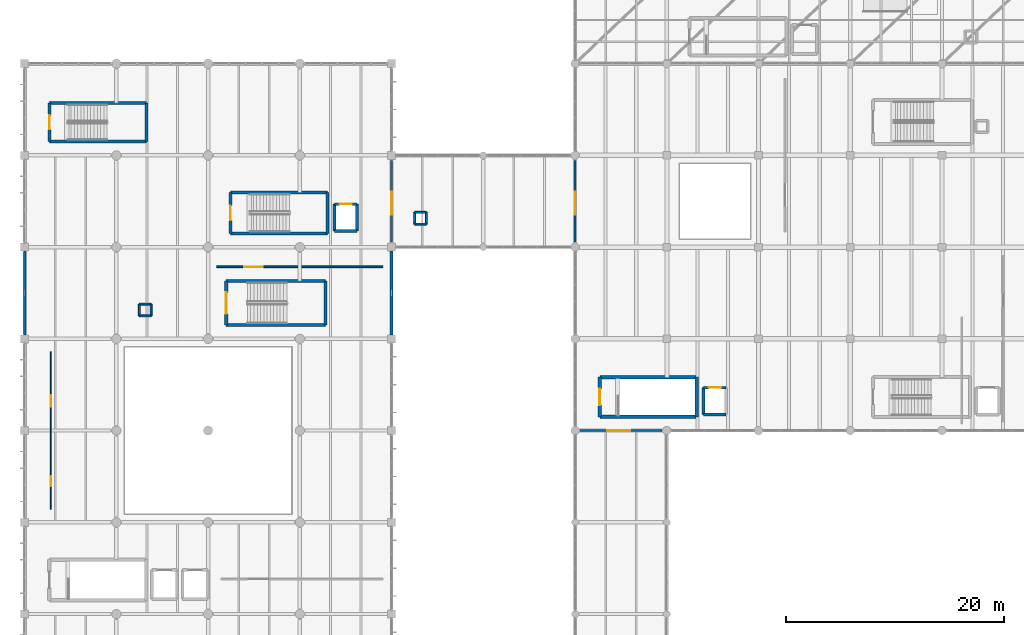
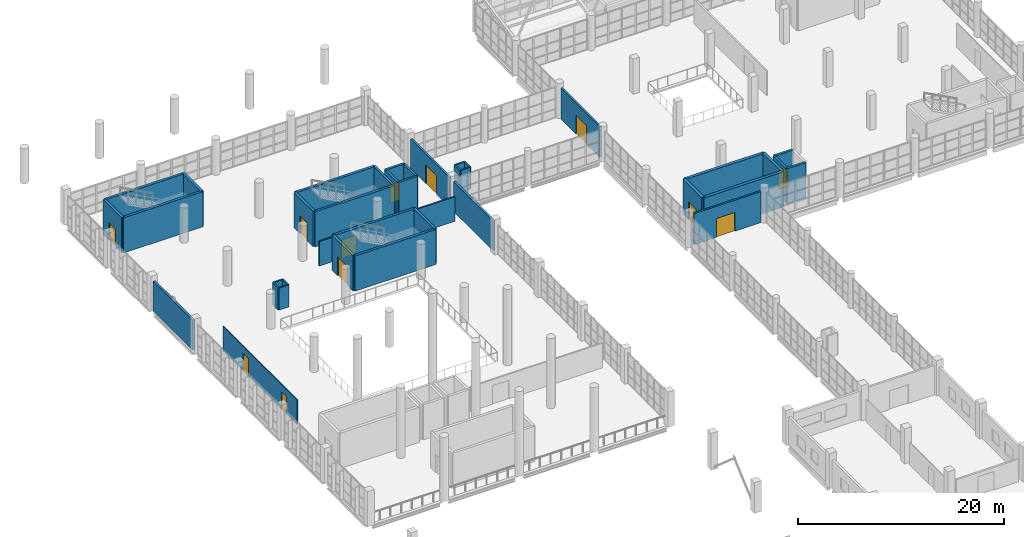
# One storey, part 152 of 177: 38 walls, 12 doors, 12 openings.
"""IFC4 building model written with IfcOpenShell, lengths in metres."""

from ifc_helpers import new_model, si_unit, direction, frame, frame_2d, origin, place, context, subcontext, project, spatial, rectangle, extrude, material, layer, layer_set, type_object, element, fill, save


model = new_model("IFC4")

# Units and contexts
model_context = context("Model", 3, precision=1e-05, world=origin(), true_north=direction((0.0, 1.0)))
body_context = subcontext(model_context, "Body", "Model", "MODEL_VIEW")
ifc_project = project(units=[si_unit("LENGTHUNIT", "METRE"), si_unit("AREAUNIT", "SQUARE_METRE"), si_unit("VOLUMEUNIT", "CUBIC_METRE"), si_unit("PLANEANGLEUNIT", "RADIAN"), si_unit("MASSUNIT", "GRAM", prefix="KILO"), si_unit("THERMODYNAMICTEMPERATUREUNIT", "KELVIN"), si_unit("POWERUNIT", "WATT")], contexts=[model_context])

# Site, building, storey
site_placement = place(None, origin())
site = spatial("IfcSite", under=ifc_project, at=site_placement, CompositionType="ELEMENT")
building_placement = place(site_placement, origin())
building = spatial("IfcBuilding", under=site, at=building_placement, Name="Mavoryth Pier Ferry Terminal", CompositionType="ELEMENT")
storey_placement = place(building_placement, frame((0.0, 0.0, 5.43994140625)))
storey = spatial("IfcBuildingStorey", under=building, at=storey_placement, Name="L01", CompositionType="ELEMENT", Elevation=5.43994140625)

# Walls
ifc_material_1 = material(Name="Concrete C35/45", Category="concrete")
ifc_layer_1 = layer(ifc_material_1, 0.260009765625, Name="Concrete C35/45", Category="concrete")
ifc_layer_set_1 = layer_set([ifc_layer_1], Name="Concrete C35/45 - CoreWall-LiftShaft-RC260")
wall_type_1 = type_object("IfcWallType", Name="CoreWall-LiftShaft-RC260", PredefinedType="SHEAR", material=ifc_layer_set_1)
wall_1_placement = place(storey_placement, frame((28.3701171875, 90.669921875, 0.0), z_axis=(0.0, 0.0, 1.0), x_axis=(1.0, 0.0, 0.0)))
element("IfcWall", 1, at=wall_1_placement, inside=storey, type_object=wall_type_1, Name="Interior Wall IW-L01-0041", PredefinedType="SHEAR", context=body_context, shape_type="SweptSolid", body=[
    extrude(rectangle(XDim=2.059814453125, YDim=0.260009765625, at=frame_2d((1.02978515625, 0.0))), origin(), (0.0, 0.0, 1.0), 4.16015625),
])
for number, where, z_axis, x_axis, name in (
    (2, (30.429931640625, 90.669921875, 0.0), (0.0, 0.0, 1.0), (0.0, 1.0, 0.0), "Interior Wall IW-L01-0042"),
    (3, (28.3701171875, 93.1298828125, 0.0), (0.0, 0.0, 1.0), (0.0, -1.0, 0.0), "Interior Wall IW-L01-0043"),
):
    element("IfcWall", number, at=place(storey_placement, frame(where, z_axis=z_axis, x_axis=x_axis)), inside=storey, type_object=wall_type_1, Name=name, PredefinedType="SHEAR", context=body_context, shape_type="SweptSolid", body=[
        extrude(rectangle(XDim=2.4599609375, YDim=0.260009765625, at=frame_2d((1.22998046875, 0.0))), origin(), (0.0, 0.0, 1.0), 4.16015625),
    ])

# Wall, opening, door
wall_2_placement = place(storey_placement, frame((28.3701171875, 93.1298828125, 0.0), z_axis=(0.0, 0.0, 1.0), x_axis=(1.0, 0.0, 0.0)))
wall_2 = element("IfcWall", 4, at=wall_2_placement, inside=storey, type_object=wall_type_1, Name="Interior Wall IW-L01-0044", PredefinedType="SHEAR", context=body_context, shape_type="SweptSolid", body=[
    extrude(rectangle(XDim=2.059814453125, YDim=0.260009765625, at=frame_2d((1.02978515625, 0.0))), origin(), (0.0, 0.0, 1.0), 4.16015625),
])
opening_1_placement = place(wall_2_placement, frame((0.4599609375, 0.0, 0.0)))
opening_1 = element("IfcOpeningElement", 5, at=opening_1_placement, cuts=wall_2, Name="Opening LD02", PredefinedType="OPENING", context=body_context, shape_type="SweptSolid", body=[
    extrude(rectangle(XDim=1.139892578125, YDim=2.139892578125, at=frame_2d((0.56982421875, 1.06982421875))), frame((0.0, 0.139892578125, 0.0), z_axis=(0.0, -1.0, 0.0), x_axis=(1.0, 0.0, 0.0)), (0.0, 0.0, 1.0), 0.280029296875),
])
ifc_material_2 = material(Name="Brushed Stainless Steel Lift Landing Door", Category="steel")
door_type_1 = type_object("IfcDoorType", Name="Door-LiftLanding-1140x2140", OperationType="NOTDEFINED", PredefinedType="DOOR", material=ifc_material_2)
door_1_placement = place(opening_1_placement, origin())
door_1 = element("IfcDoor", 6, at=door_1_placement, inside=storey, type_object=door_type_1, Name="Lift LF03 Landing Door L01", OperationType="DOUBLE_DOOR_SLIDING", OverallHeight=2.139892578125, OverallWidth=1.139892578125, PredefinedType="DOOR", context=body_context, shape_type="SweptSolid", body=[
    extrude(rectangle(XDim=1.139892578125, YDim=2.139892578125, at=frame_2d((0.56982421875, 1.06982421875))), frame((0.0, 0.02490234375, 0.0), z_axis=(0.0, -1.0, 0.0), x_axis=(1.0, 0.0, 0.0)), (0.0, 0.0, 1.0), 0.050048828125),
])
fill(opening_1, door_1)

# Walls
wall_3_placement = place(storey_placement, frame((62.169921875, 73.8701171875, 0.0), z_axis=(0.0, 0.0, 1.0), x_axis=(1.0, 0.0, 0.0)))
element("IfcWall", 7, at=wall_3_placement, inside=storey, type_object=wall_type_1, Name="Interior Wall IW-L01-0073", PredefinedType="SHEAR", context=body_context, shape_type="SweptSolid", body=[
    extrude(rectangle(XDim=2.06005859375, YDim=0.260009765625, at=frame_2d((1.030029296875, 0.0))), origin(), (0.0, 0.0, 1.0), 4.16015625),
])
wall_4_placement = place(storey_placement, frame((62.169921875, 76.330078125, 0.0), z_axis=(0.0, 0.0, 1.0), x_axis=(0.0, -1.0, 0.0)))
element("IfcWall", 8, at=wall_4_placement, inside=storey, type_object=wall_type_1, Name="Interior Wall IW-L01-0075", PredefinedType="SHEAR", context=body_context, shape_type="SweptSolid", body=[
    extrude(rectangle(XDim=2.4599609375, YDim=0.260009765625, at=frame_2d((1.22998046875, 0.0))), origin(), (0.0, 0.0, 1.0), 4.16015625),
])

# Wall, opening, door
wall_5_placement = place(storey_placement, frame((62.169921875, 76.330078125, 0.0), z_axis=(0.0, 0.0, 1.0), x_axis=(1.0, 0.0, 0.0)))
wall_5 = element("IfcWall", 9, at=wall_5_placement, inside=storey, type_object=wall_type_1, Name="Interior Wall IW-L01-0076", PredefinedType="SHEAR", context=body_context, shape_type="SweptSolid", body=[
    extrude(rectangle(XDim=2.06005859375, YDim=0.260009765625, at=frame_2d((1.030029296875, 0.0))), origin(), (0.0, 0.0, 1.0), 4.16015625),
])
opening_2_placement = place(wall_5_placement, frame((0.4599609375, 0.0, 0.0)))
opening_2 = element("IfcOpeningElement", 10, at=opening_2_placement, cuts=wall_5, Name="Opening LD02", PredefinedType="OPENING", context=body_context, shape_type="SweptSolid", body=[
    extrude(rectangle(XDim=1.139892578125, YDim=2.139892578125, at=frame_2d((0.56982421875, 1.06982421875))), frame((0.0, 0.139892578125, 0.0), z_axis=(0.0, -1.0, 0.0), x_axis=(1.0, 0.0, 0.0)), (0.0, 0.0, 1.0), 0.280029296875),
])
door_2_placement = place(opening_2_placement, origin())
door_2 = element("IfcDoor", 11, at=door_2_placement, inside=storey, type_object=door_type_1, Name="Lift LF04 Landing Door L01", OperationType="DOUBLE_DOOR_SLIDING", OverallHeight=2.139892578125, OverallWidth=1.139892578125, PredefinedType="DOOR", context=body_context, shape_type="SweptSolid", body=[
    extrude(rectangle(XDim=1.139892578125, YDim=2.139892578125, at=frame_2d((0.56982421875, 1.06982421875))), frame((0.0, 0.02490234375, 0.0), z_axis=(0.0, -1.0, 0.0), x_axis=(1.0, 0.0, 0.0)), (0.0, 0.0, 1.0), 0.050048828125),
])
fill(opening_2, door_2)

# Walls
ifc_material_3 = material(Name="Concrete C40/50", Category="concrete")
ifc_layer_2 = layer(ifc_material_3, 0.280029296875, Name="Concrete C40/50", Category="concrete")
ifc_layer_set_2 = layer_set([ifc_layer_2], Name="Concrete C40/50 - CoreWall-Shear-RC280")
wall_type_2 = type_object("IfcWallType", Name="CoreWall-Shear-RC280", PredefinedType="SHEAR", material=ifc_layer_set_2)
for number, where, z_axis, x_axis, name in (
    (12, (18.860107421875, 90.4599609375, 0.0), (0.0, 0.0, 1.0), (1.0, 0.0, 0.0), "Interior Wall IW-L01-0029"),
    (13, (18.860107421875, 94.18994140625, 0.0), (0.0, 0.0, 1.0), (1.0, 0.0, 0.0), "Interior Wall IW-L01-0030"),
):
    element("IfcWall", number, at=place(storey_placement, frame(where, z_axis=z_axis, x_axis=x_axis)), inside=storey, type_object=wall_type_2, Name=name, PredefinedType="SHEAR", context=body_context, shape_type="SweptSolid", body=[
        extrude(rectangle(XDim=8.8798828125, YDim=0.280029296875, at=frame_2d((4.43994140625, 0.0))), origin(), (0.0, 0.0, 1.0), 4.16015625),
    ])

# Wall, opening, door
wall_6_placement = place(storey_placement, frame((18.860107421875, 94.18994140625, 0.0), z_axis=(0.0, 0.0, 1.0), x_axis=(0.0, -1.0, 0.0)))
wall_6 = element("IfcWall", 14, at=wall_6_placement, inside=storey, type_object=wall_type_2, Name="Interior Wall IW-L01-0031", PredefinedType="SHEAR", context=body_context, shape_type="SweptSolid", body=[
    extrude(rectangle(XDim=3.72998046875, YDim=0.280029296875, at=frame_2d((1.864990234375, 0.0))), origin(), (0.0, 0.0, 1.0), 4.16015625),
])
opening_3_placement = place(wall_6_placement, frame((1.18505859375, 0.0, 0.0)))
opening_3 = element("IfcOpeningElement", 15, at=opening_3_placement, cuts=wall_6, Name="Opening ID02-008", PredefinedType="OPENING", context=body_context, shape_type="SweptSolid", body=[
    extrude(rectangle(XDim=1.360107421875, YDim=2.14990234375, at=frame_2d((0.68017578125, 1.074951171875))), frame((0.0, 0.14990234375, 0.0), z_axis=(0.0, -1.0, 0.0), x_axis=(1.0, 0.0, 0.0)), (0.0, 0.0, 1.0), 0.300048828125),
])
ifc_material_4 = material(Name="Painted Galvanised Steel Fire Door", Category="steel")
door_type_2 = type_object("IfcDoorType", Name="Door-StairFire-1360x2150", OperationType="NOTDEFINED", PredefinedType="DOOR", material=ifc_material_4)
door_3_placement = place(opening_3_placement, origin())
door_3 = element("IfcDoor", 16, at=door_3_placement, inside=storey, type_object=door_type_2, Name="Core C1B Stair Exit Door L01", OperationType="SINGLE_SWING_RIGHT", OverallHeight=2.14990234375, OverallWidth=1.360107421875, PredefinedType="DOOR", context=body_context, shape_type="SweptSolid", body=[
    extrude(rectangle(XDim=1.360107421875, YDim=2.14990234375, at=frame_2d((0.68017578125, 1.074951171875))), frame((0.0, 0.02490234375, 0.0), z_axis=(0.0, -1.0, 0.0), x_axis=(1.0, 0.0, 0.0)), (0.0, 0.0, 1.0), 0.050048828125),
])
fill(opening_3, door_3)

# Walls
wall_7_placement = place(storey_placement, frame((27.739990234375, 90.4599609375, 0.0), z_axis=(0.0, 0.0, 1.0), x_axis=(0.0, 1.0, 0.0)))
element("IfcWall", 17, at=wall_7_placement, inside=storey, type_object=wall_type_2, Name="Interior Wall IW-L01-0032", PredefinedType="SHEAR", context=body_context, shape_type="SweptSolid", body=[
    extrude(rectangle(XDim=3.72998046875, YDim=0.280029296875, at=frame_2d((1.864990234375, 0.0))), origin(), (0.0, 0.0, 1.0), 4.16015625),
])
for number, where, z_axis, x_axis, name in (
    (18, (2.260009765625, 98.860107421875, 0.0), (0.0, 0.0, 1.0), (1.0, 0.0, 0.0), "Interior Wall IW-L01-0053"),
    (19, (2.260009765625, 102.389892578125, 0.0), (0.0, 0.0, 1.0), (1.0, 0.0, 0.0), "Interior Wall IW-L01-0054"),
):
    element("IfcWall", number, at=place(storey_placement, frame(where, z_axis=z_axis, x_axis=x_axis)), inside=storey, type_object=wall_type_2, Name=name, PredefinedType="SHEAR", context=body_context, shape_type="SweptSolid", body=[
        extrude(rectangle(XDim=8.8798828125, YDim=0.280029296875, at=frame_2d((4.43994140625, 0.0))), origin(), (0.0, 0.0, 1.0), 4.16015625),
    ])

# Wall, opening, door
wall_8_placement = place(storey_placement, frame((2.260009765625, 102.389892578125, 0.0), z_axis=(0.0, 0.0, 1.0), x_axis=(0.0, -1.0, 0.0)))
wall_8 = element("IfcWall", 20, at=wall_8_placement, inside=storey, type_object=wall_type_2, Name="Interior Wall IW-L01-0055", PredefinedType="SHEAR", context=body_context, shape_type="SweptSolid", body=[
    extrude(rectangle(XDim=3.52978515625, YDim=0.280029296875, at=frame_2d((1.764892578125, 0.0))), origin(), (0.0, 0.0, 1.0), 4.16015625),
])
opening_4_placement = place(wall_8_placement, frame((1.125, 0.0, 0.0)))
opening_4 = element("IfcOpeningElement", 21, at=opening_4_placement, cuts=wall_8, Name="Opening ID03-014", PredefinedType="OPENING", context=body_context, shape_type="SweptSolid", body=[
    extrude(rectangle(XDim=1.280029296875, YDim=2.10009765625, at=frame_2d((0.64013671875, 1.050048828125))), frame((0.0, 0.14990234375, 0.0), z_axis=(0.0, -1.0, 0.0), x_axis=(1.0, 0.0, 0.0)), (0.0, 0.0, 1.0), 0.300048828125),
])
door_type_3 = type_object("IfcDoorType", Name="Door-StairFire-1280x2100", OperationType="NOTDEFINED", PredefinedType="DOOR", material=ifc_material_4)
door_4_placement = place(opening_4_placement, origin())
door_4 = element("IfcDoor", 22, at=door_4_placement, inside=storey, type_object=door_type_3, Name="Core C1C Stair Exit Door L01", OperationType="SINGLE_SWING_LEFT", OverallHeight=2.10009765625, OverallWidth=1.280029296875, PredefinedType="DOOR", context=body_context, shape_type="SweptSolid", body=[
    extrude(rectangle(XDim=1.280029296875, YDim=2.10009765625, at=frame_2d((0.64013671875, 1.050048828125))), frame((0.0, 0.02490234375, 0.0), z_axis=(0.0, -1.0, 0.0), x_axis=(1.0, 0.0, 0.0)), (0.0, 0.0, 1.0), 0.050048828125),
])
fill(opening_4, door_4)

# Walls
wall_9_placement = place(storey_placement, frame((11.139892578125, 98.860107421875, 0.0), z_axis=(0.0, 0.0, 1.0), x_axis=(0.0, 1.0, 0.0)))
element("IfcWall", 23, at=wall_9_placement, inside=storey, type_object=wall_type_2, Name="Interior Wall IW-L01-0056", PredefinedType="SHEAR", context=body_context, shape_type="SweptSolid", body=[
    extrude(rectangle(XDim=3.52978515625, YDim=0.280029296875, at=frame_2d((1.764892578125, 0.0))), origin(), (0.0, 0.0, 1.0), 4.16015625),
])
for number, where, z_axis, x_axis, name in (
    (24, (18.4599609375, 82.06005859375, 0.0), (0.0, 0.0, 1.0), (1.0, 0.0, 0.0), "Interior Wall IW-L01-0297"),
    (25, (18.4599609375, 86.090087890625, 0.0), (0.0, 0.0, 1.0), (1.0, 0.0, 0.0), "Interior Wall IW-L01-0298"),
):
    element("IfcWall", number, at=place(storey_placement, frame(where, z_axis=z_axis, x_axis=x_axis)), inside=storey, type_object=wall_type_2, Name=name, PredefinedType="SHEAR", context=body_context, shape_type="SweptSolid", body=[
        extrude(rectangle(XDim=9.080078125, YDim=0.280029296875, at=frame_2d((4.5400390625, 0.0))), origin(), (0.0, 0.0, 1.0), 4.16015625),
    ])

# Wall, opening, door
wall_10_placement = place(storey_placement, frame((18.4599609375, 86.090087890625, 0.0), z_axis=(0.0, 0.0, 1.0), x_axis=(0.0, -1.0, 0.0)))
wall_10 = element("IfcWall", 26, at=wall_10_placement, inside=storey, type_object=wall_type_2, Name="Interior Wall IW-L01-0299", PredefinedType="SHEAR", context=body_context, shape_type="SweptSolid", body=[
    extrude(rectangle(XDim=4.030029296875, YDim=0.280029296875, at=frame_2d((2.01513671875, 0.0))), origin(), (0.0, 0.0, 1.0), 4.16015625),
])
opening_5_placement = place(wall_10_placement, frame((1.034912109375, 0.0, 0.0)))
opening_5 = element("IfcOpeningElement", 27, at=opening_5_placement, cuts=wall_10, Name="Opening ID07-075", PredefinedType="OPENING", context=body_context, shape_type="SweptSolid", body=[
    extrude(rectangle(XDim=1.9599609375, YDim=2.219970703125, at=frame_2d((0.97998046875, 1.10986328125))), frame((0.0, 0.14990234375, 0.0), z_axis=(0.0, -1.0, 0.0), x_axis=(1.0, 0.0, 0.0)), (0.0, 0.0, 1.0), 0.300048828125),
])
ifc_material_5 = material(Name="Fire-Resisting Anodised Aluminium Glazed Door", Category="aluminium")
door_type_4 = type_object("IfcDoorType", Name="Door-ConcourseSlide-1960x2220", OperationType="NOTDEFINED", PredefinedType="DOOR", material=ifc_material_5)
door_5_placement = place(opening_5_placement, origin())
door_5 = element("IfcDoor", 28, at=door_5_placement, inside=storey, type_object=door_type_4, Name="Feature Stair FS2 Concourse Door L01", OperationType="DOUBLE_DOOR_SLIDING", OverallHeight=2.219970703125, OverallWidth=1.9599609375, PredefinedType="DOOR", context=body_context, shape_type="SweptSolid", body=[
    extrude(rectangle(XDim=1.9599609375, YDim=2.219970703125, at=frame_2d((0.97998046875, 1.10986328125))), frame((0.0, 0.02490234375, 0.0), z_axis=(0.0, -1.0, 0.0), x_axis=(1.0, 0.0, 0.0)), (0.0, 0.0, 1.0), 0.050048828125),
])
fill(opening_5, door_5)

# Walls
wall_11_placement = place(storey_placement, frame((27.5400390625, 82.06005859375, 0.0), z_axis=(0.0, 0.0, 1.0), x_axis=(0.0, 1.0, 0.0)))
element("IfcWall", 29, at=wall_11_placement, inside=storey, type_object=wall_type_2, Name="Interior Wall IW-L01-0300", PredefinedType="SHEAR", context=body_context, shape_type="SweptSolid", body=[
    extrude(rectangle(XDim=4.030029296875, YDim=0.280029296875, at=frame_2d((2.01513671875, 0.0))), origin(), (0.0, 0.0, 1.0), 4.16015625),
])
ifc_layer_3 = layer(ifc_material_3, 0.320068359375, Name="Concrete C40/50", Category="concrete")
ifc_layer_set_3 = layer_set([ifc_layer_3], Name="Concrete C40/50 - CoreWall-Shear-RC320")
wall_type_3 = type_object("IfcWallType", Name="CoreWall-Shear-RC320", PredefinedType="SHEAR", material=ifc_layer_set_3)
for number, where, z_axis, x_axis, name in (
    (30, (52.659912109375, 73.659912109375, 0.0), (0.0, 0.0, 1.0), (1.0, 0.0, 0.0), "Interior Wall IW-L01-0065"),
    (31, (52.659912109375, 77.2900390625, 0.0), (0.0, 0.0, 1.0), (1.0, 0.0, 0.0), "Interior Wall IW-L01-0066"),
):
    element("IfcWall", number, at=place(storey_placement, frame(where, z_axis=z_axis, x_axis=x_axis)), inside=storey, type_object=wall_type_3, Name=name, PredefinedType="SHEAR", context=body_context, shape_type="SweptSolid", body=[
        extrude(rectangle(XDim=8.880126953125, YDim=0.320068359375, at=frame_2d((4.43994140625, 0.0))), origin(), (0.0, 0.0, 1.0), 4.16015625),
    ])

# Wall, opening, door
wall_12_placement = place(storey_placement, frame((52.659912109375, 77.2900390625, 0.0), z_axis=(0.0, 0.0, 1.0), x_axis=(0.0, -1.0, 0.0)))
wall_12 = element("IfcWall", 32, at=wall_12_placement, inside=storey, type_object=wall_type_3, Name="Interior Wall IW-L01-0067", PredefinedType="SHEAR", context=body_context, shape_type="SweptSolid", body=[
    extrude(rectangle(XDim=3.630126953125, YDim=0.320068359375, at=frame_2d((1.81494140625, 0.0))), origin(), (0.0, 0.0, 1.0), 4.16015625),
])
opening_6_placement = place(wall_12_placement, frame((1.074951171875, 0.0, 0.0)))
opening_6 = element("IfcOpeningElement", 33, at=opening_6_placement, cuts=wall_12, Name="Opening ID01-017", PredefinedType="OPENING", context=body_context, shape_type="SweptSolid", body=[
    extrude(rectangle(XDim=1.47998046875, YDim=2.14990234375, at=frame_2d((0.739990234375, 1.074951171875))), frame((0.0, 0.169921875, 0.0), z_axis=(0.0, -1.0, 0.0), x_axis=(1.0, 0.0, 0.0)), (0.0, 0.0, 1.0), 0.340087890625),
])
door_type_5 = type_object("IfcDoorType", Name="Door-StairFire-1480x2150", OperationType="NOTDEFINED", PredefinedType="DOOR", material=ifc_material_4)
door_6_placement = place(opening_6_placement, origin())
door_6 = element("IfcDoor", 34, at=door_6_placement, inside=storey, type_object=door_type_5, Name="Core C2A Stair Exit Door L01", OperationType="SINGLE_SWING_RIGHT", OverallHeight=2.14990234375, OverallWidth=1.47998046875, PredefinedType="DOOR", context=body_context, shape_type="SweptSolid", body=[
    extrude(rectangle(XDim=1.47998046875, YDim=2.14990234375, at=frame_2d((0.739990234375, 1.074951171875))), frame((0.0, 0.02490234375, 0.0), z_axis=(0.0, -1.0, 0.0), x_axis=(1.0, 0.0, 0.0)), (0.0, 0.0, 1.0), 0.050048828125),
])
fill(opening_6, door_6)

# Walls
wall_13_placement = place(storey_placement, frame((61.5400390625, 73.659912109375, 0.0), z_axis=(0.0, 0.0, 1.0), x_axis=(0.0, 1.0, 0.0)))
element("IfcWall", 35, at=wall_13_placement, inside=storey, type_object=wall_type_3, Name="Interior Wall IW-L01-0068", PredefinedType="SHEAR", context=body_context, shape_type="SweptSolid", body=[
    extrude(rectangle(XDim=3.630126953125, YDim=0.320068359375, at=frame_2d((1.81494140625, 0.0))), origin(), (0.0, 0.0, 1.0), 4.16015625),
])
ifc_material_6 = material(Name="Insulated Pentelic Limestone-Faced Masonry", Category="masonry")
ifc_layer_4 = layer(ifc_material_6, 0.25, Name="Insulated Pentelic Limestone-Faced Masonry", Category="masonry")
ifc_layer_set_4 = layer_set([ifc_layer_4], Name="Insulated Pentelic Limestone-Faced Masonry - ExtWall-Facade-Masonry250")
wall_type_4 = type_object("IfcWallType", Name="ExtWall-Facade-Masonry250", PredefinedType="SOLIDWALL", material=ifc_layer_set_4)
for number, where, z_axis, x_axis, name in (
    (36, (0.0, 88.824951171875, 0.0), (0.0, 0.0, 1.0), (0.0, -1.0, 0.0), "Exterior Wall EW-L01-013"),
    (37, (33.60009765625, 81.175048828125, 0.0), (0.0, 0.0, 1.0), (0.0, 1.0, 0.0), "Exterior Wall EW-L01-014"),
):
    element("IfcWall", number, at=place(storey_placement, frame(where, z_axis=z_axis, x_axis=x_axis)), inside=storey, type_object=wall_type_4, Name=name, PredefinedType="SOLIDWALL", context=body_context, shape_type="SweptSolid", body=[
        extrude(rectangle(XDim=7.64990234375, YDim=0.25, at=frame_2d((3.824951171875, 0.0))), origin(), (0.0, 0.0, 1.0), 3.51513671875),
    ])

# Wall, opening, door
ifc_material_7 = material(Name="Autoclaved Aerated Concrete Blockwork", Category="masonry")
ifc_layer_5 = layer(ifc_material_7, 0.199951171875, Name="Autoclaved Aerated Concrete Blockwork", Category="masonry")
ifc_layer_set_5 = layer_set([ifc_layer_5], Name="Autoclaved Aerated Concrete Blockwork - IntWall-LobbyRated-200")
wall_type_5 = type_object("IfcWallType", Name="IntWall-LobbyRated-200", PredefinedType="SOLIDWALL", material=ifc_layer_set_5)
wall_14_placement = place(storey_placement, frame((33.60009765625, 89.64990234375, 0.0), z_axis=(0.0, 0.0, 1.0), x_axis=(0.0, 1.0, 0.0)))
wall_14 = element("IfcWall", 38, at=wall_14_placement, inside=storey, type_object=wall_type_5, Name="Interior Wall IW-L01-0508", PredefinedType="SOLIDWALL", context=body_context, shape_type="SweptSolid", body=[
    extrude(rectangle(XDim=7.5, YDim=0.199951171875, at=frame_2d((3.75, 0.0))), origin(), (0.0, 0.0, 1.0), 3.51513671875),
])
opening_7_placement = place(wall_14_placement, frame((2.5, 0.0, 0.0)))
opening_7 = element("IfcOpeningElement", 39, at=opening_7_placement, cuts=wall_14, Name="Opening ID06-177", PredefinedType="OPENING", context=body_context, shape_type="SweptSolid", body=[
    extrude(rectangle(XDim=2.10009765625, YDim=2.219970703125, at=frame_2d((1.050048828125, 1.10986328125))), frame((0.0, 0.10986328125, 0.0), z_axis=(0.0, -1.0, 0.0), x_axis=(1.0, 0.0, 0.0)), (0.0, 0.0, 1.0), 0.219970703125),
])
door_type_6 = type_object("IfcDoorType", Name="Door-ConcourseSlide-2100x2220", OperationType="NOTDEFINED", PredefinedType="DOOR", material=ifc_material_5)
door_7_placement = place(opening_7_placement, origin())
door_7 = element("IfcDoor", 40, at=door_7_placement, inside=storey, type_object=door_type_6, Name="West Quay Bridge West Concourse Door", OperationType="DOUBLE_DOOR_SLIDING", OverallHeight=2.219970703125, OverallWidth=2.10009765625, PredefinedType="DOOR", context=body_context, shape_type="SweptSolid", body=[
    extrude(rectangle(XDim=2.10009765625, YDim=2.219970703125, at=frame_2d((1.050048828125, 1.10986328125))), frame((0.0, 0.02490234375, 0.0), z_axis=(0.0, -1.0, 0.0), x_axis=(1.0, 0.0, 0.0)), (0.0, 0.0, 1.0), 0.050048828125),
])
fill(opening_7, door_7)

wall_15_placement = place(storey_placement, frame((50.39990234375, 89.64990234375, 0.0), z_axis=(0.0, 0.0, 1.0), x_axis=(0.0, 1.0, 0.0)))
wall_15 = element("IfcWall", 41, at=wall_15_placement, inside=storey, type_object=wall_type_5, Name="Interior Wall IW-L01-0509", PredefinedType="SOLIDWALL", context=body_context, shape_type="SweptSolid", body=[
    extrude(rectangle(XDim=7.5, YDim=0.199951171875, at=frame_2d((3.75, 0.0))), origin(), (0.0, 0.0, 1.0), 3.6650390625),
])
opening_8_placement = place(wall_15_placement, frame((2.5, 0.0, 0.0)))
opening_8 = element("IfcOpeningElement", 42, at=opening_8_placement, cuts=wall_15, Name="Opening ID06-178", PredefinedType="OPENING", context=body_context, shape_type="SweptSolid", body=[
    extrude(rectangle(XDim=2.10009765625, YDim=2.219970703125, at=frame_2d((1.050048828125, 1.10986328125))), frame((0.0, 0.10986328125, 0.0), z_axis=(0.0, -1.0, 0.0), x_axis=(1.0, 0.0, 0.0)), (0.0, 0.0, 1.0), 0.219970703125),
])
door_8_placement = place(opening_8_placement, origin())
door_8 = element("IfcDoor", 43, at=door_8_placement, inside=storey, type_object=door_type_6, Name="West Quay Bridge East Concourse Door", OperationType="DOUBLE_DOOR_SLIDING", OverallHeight=2.219970703125, OverallWidth=2.10009765625, PredefinedType="DOOR", context=body_context, shape_type="SweptSolid", body=[
    extrude(rectangle(XDim=2.10009765625, YDim=2.219970703125, at=frame_2d((1.050048828125, 1.10986328125))), frame((0.0, 0.02490234375, 0.0), z_axis=(0.0, -1.0, 0.0), x_axis=(1.0, 0.0, 0.0)), (0.0, 0.0, 1.0), 0.050048828125),
])
fill(opening_8, door_8)

wall_16_placement = place(storey_placement, frame((50.85009765625, 72.39990234375, 0.0), z_axis=(0.0, 0.0, 1.0), x_axis=(1.0, 0.0, 0.0)))
wall_16 = element("IfcWall", 44, at=wall_16_placement, inside=storey, type_object=wall_type_5, Name="Interior Wall IW-L01-0511", PredefinedType="SOLIDWALL", context=body_context, shape_type="SweptSolid", body=[
    extrude(rectangle(XDim=7.5, YDim=0.199951171875, at=frame_2d((3.75, 0.0))), origin(), (0.0, 0.0, 1.0), 3.6650390625),
])
opening_9_placement = place(wall_16_placement, frame((2.5, 0.0, 0.0)))
opening_9 = element("IfcOpeningElement", 45, at=opening_9_placement, cuts=wall_16, Name="Opening ID06-180", PredefinedType="OPENING", context=body_context, shape_type="SweptSolid", body=[
    extrude(rectangle(XDim=2.10009765625, YDim=2.219970703125, at=frame_2d((1.050048828125, 1.10986328125))), frame((0.0, 0.10986328125, 0.0), z_axis=(0.0, -1.0, 0.0), x_axis=(1.0, 0.0, 0.0)), (0.0, 0.0, 1.0), 0.219970703125),
])
door_9_placement = place(opening_9_placement, origin())
door_9 = element("IfcDoor", 46, at=door_9_placement, inside=storey, type_object=door_type_6, Name="Courtyard Link North Arrivals Door", OperationType="DOUBLE_DOOR_SLIDING", OverallHeight=2.219970703125, OverallWidth=2.10009765625, PredefinedType="DOOR", context=body_context, shape_type="SweptSolid", body=[
    extrude(rectangle(XDim=2.10009765625, YDim=2.219970703125, at=frame_2d((1.050048828125, 1.10986328125))), frame((0.0, 0.02490234375, 0.0), z_axis=(0.0, -1.0, 0.0), x_axis=(1.0, 0.0, 0.0)), (0.0, 0.0, 1.0), 0.050048828125),
])
fill(opening_9, door_9)

# Walls
ifc_layer_6 = layer(ifc_material_7, 0.179931640625, Name="Autoclaved Aerated Concrete Blockwork", Category="masonry")
ifc_layer_set_6 = layer_set([ifc_layer_6], Name="Autoclaved Aerated Concrete Blockwork - IntWall-PlantRated-180")
wall_type_6 = type_object("IfcWallType", Name="IntWall-PlantRated-180", PredefinedType="SOLIDWALL", material=ifc_layer_set_6)
wall_17_placement = place(storey_placement, frame((35.7099609375, 91.31005859375, 0.0), z_axis=(0.0, 0.0, 1.0), x_axis=(1.0, 0.0, 0.0)))
element("IfcWall", 47, at=wall_17_placement, inside=storey, type_object=wall_type_6, Name="Interior Wall IW-L01-0341", PredefinedType="SOLIDWALL", context=body_context, shape_type="SweptSolid", body=[
    extrude(rectangle(XDim=1.080078125, YDim=0.179931640625, at=frame_2d((0.5400390625, 0.0))), origin(), (0.0, 0.0, 1.0), 2.60009765625),
])
wall_18_placement = place(storey_placement, frame((36.7900390625, 91.31005859375, 0.0), z_axis=(0.0, 0.0, 1.0), x_axis=(0.0, 1.0, 0.0)))
element("IfcWall", 48, at=wall_18_placement, inside=storey, type_object=wall_type_6, Name="Interior Wall IW-L01-0342", PredefinedType="SOLIDWALL", context=body_context, shape_type="SweptSolid", body=[
    extrude(rectangle(XDim=1.079833984375, YDim=0.179931640625, at=frame_2d((0.5400390625, 0.0))), origin(), (0.0, 0.0, 1.0), 2.60009765625),
])
wall_19_placement = place(storey_placement, frame((36.7900390625, 92.389892578125, 0.0), z_axis=(0.0, 0.0, 1.0), x_axis=(-1.0, 0.0, 0.0)))
element("IfcWall", 49, at=wall_19_placement, inside=storey, type_object=wall_type_6, Name="Interior Wall IW-L01-0343", PredefinedType="SOLIDWALL", context=body_context, shape_type="SweptSolid", body=[
    extrude(rectangle(XDim=1.080078125, YDim=0.179931640625, at=frame_2d((0.5400390625, 0.0))), origin(), (0.0, 0.0, 1.0), 2.60009765625),
])
wall_20_placement = place(storey_placement, frame((35.7099609375, 92.389892578125, 0.0), z_axis=(0.0, 0.0, 1.0), x_axis=(0.0, -1.0, 0.0)))
element("IfcWall", 50, at=wall_20_placement, inside=storey, type_object=wall_type_6, Name="Interior Wall IW-L01-0344", PredefinedType="SOLIDWALL", context=body_context, shape_type="SweptSolid", body=[
    extrude(rectangle(XDim=1.079833984375, YDim=0.179931640625, at=frame_2d((0.5400390625, 0.0))), origin(), (0.0, 0.0, 1.0), 2.60009765625),
])
for number, where, z_axis, x_axis, name in (
    (51, (10.510009765625, 82.909912109375, 0.0), (0.0, 0.0, 1.0), (1.0, 0.0, 0.0), "Interior Wall IW-L01-0377"),
    (52, (11.590087890625, 82.909912109375, 0.0), (0.0, 0.0, 1.0), (0.0, 1.0, 0.0), "Interior Wall IW-L01-0378"),
    (53, (11.590087890625, 83.989990234375, 0.0), (0.0, 0.0, 1.0), (-1.0, 0.0, 0.0), "Interior Wall IW-L01-0379"),
    (54, (10.510009765625, 83.989990234375, 0.0), (0.0, 0.0, 1.0), (0.0, -1.0, 0.0), "Interior Wall IW-L01-0380"),
):
    element("IfcWall", number, at=place(storey_placement, frame(where, z_axis=z_axis, x_axis=x_axis)), inside=storey, type_object=wall_type_6, Name=name, PredefinedType="SOLIDWALL", context=body_context, shape_type="SweptSolid", body=[
        extrude(rectangle(XDim=1.080078125, YDim=0.179931640625, at=frame_2d((0.5400390625, 0.0))), origin(), (0.0, 0.0, 1.0), 2.60009765625),
    ])

# Wall, opening, door
ifc_material_8 = material(Name="Double-Stud Acoustic Gypsum Partition")
ifc_layer_7 = layer(ifc_material_8, 0.159912109375, Name="Double-Stud Acoustic Gypsum Partition")
ifc_layer_set_7 = layer_set([ifc_layer_7], Name="Double-Stud Acoustic Gypsum Partition - Part-Acoustic-160")
wall_type_7 = type_object("IfcWallType", Name="Part-Acoustic-160", PredefinedType="PARTITIONING", material=ifc_layer_set_7)
wall_21_placement = place(storey_placement, frame((17.60009765625, 87.39990234375, 0.0), z_axis=(0.0, 0.0, 1.0), x_axis=(1.0, 0.0, 0.0)))
wall_21 = element("IfcWall", 55, at=wall_21_placement, inside=storey, type_object=wall_type_7, Name="Interior Wall IW-L01-0420", PredefinedType="PARTITIONING", context=body_context, shape_type="SweptSolid", body=[
    extrude(rectangle(XDim=15.199951171875, YDim=0.159912109375, at=frame_2d((7.60009765625, 0.0))), origin(), (0.0, 0.0, 1.0), 2.900146484375),
])
opening_10_placement = place(wall_21_placement, frame((2.5, 0.0, 0.0)))
opening_10 = element("IfcOpeningElement", 56, at=opening_10_placement, cuts=wall_21, Name="Opening ID05-086", PredefinedType="OPENING", context=body_context, shape_type="SweptSolid", body=[
    extrude(rectangle(XDim=1.679931640625, YDim=2.179931640625, at=frame_2d((0.83984375, 1.08984375))), frame((0.0, 0.08984375, 0.0), z_axis=(0.0, -1.0, 0.0), x_axis=(1.0, 0.0, 0.0)), (0.0, 0.0, 1.0), 0.179931640625),
])
ifc_material_9 = material(Name="Glazed Fire-Resisting Steel Door", Category="steel")
door_type_7 = type_object("IfcDoorType", Name="Door-LobbyDouble-1680x2180", OperationType="NOTDEFINED", PredefinedType="DOOR", material=ifc_material_9)
door_10_placement = place(opening_10_placement, origin())
door_10 = element("IfcDoor", 57, at=door_10_placement, inside=storey, type_object=door_type_7, Name="Interior Door ID05-086", OperationType="DOUBLE_DOOR_SINGLE_SWING", OverallHeight=2.179931640625, OverallWidth=1.679931640625, PredefinedType="DOOR", context=body_context, shape_type="SweptSolid", body=[
    extrude(rectangle(XDim=1.679931640625, YDim=2.179931640625, at=frame_2d((0.83984375, 1.08984375))), frame((0.0, 0.02490234375, 0.0), z_axis=(0.0, -1.0, 0.0), x_axis=(1.0, 0.0, 0.0)), (0.0, 0.0, 1.0), 0.050048828125),
])
fill(opening_10, door_10)

# Wall, openings, doors
ifc_material_10 = material(Name="Moisture-Resistant Cement-Board Partition")
ifc_layer_8 = layer(ifc_material_10, 0.10009765625, Name="Moisture-Resistant Cement-Board Partition")
ifc_layer_set_8 = layer_set([ifc_layer_8], Name="Moisture-Resistant Cement-Board Partition - Part-WetArea-100")
wall_type_8 = type_object("IfcWallType", Name="Part-WetArea-100", PredefinedType="PARTITIONING", material=ifc_layer_set_8)
wall_22_placement = place(storey_placement, frame((2.39990234375, 65.199951171875, 0.0), z_axis=(0.0, 0.0, 1.0), x_axis=(0.0, 1.0, 0.0)))
wall_22 = element("IfcWall", 58, at=wall_22_placement, inside=storey, type_object=wall_type_8, Name="Interior Wall IW-L01-0421", PredefinedType="PARTITIONING", context=body_context, shape_type="SweptSolid", body=[
    extrude(rectangle(XDim=14.400146484375, YDim=0.10009765625, at=frame_2d((7.2001953125, 0.0))), origin(), (0.0, 0.0, 1.0), 2.900146484375),
])
opening_11_placement = place(wall_22_placement, frame((2.10009765625, 0.0, 0.0)))
opening_11 = element("IfcOpeningElement", 59, at=opening_11_placement, cuts=wall_22, Name="Opening ID12-087", PredefinedType="OPENING", context=body_context, shape_type="SweptSolid", body=[
    extrude(rectangle(XDim=0.89990234375, YDim=2.06005859375, at=frame_2d((0.449951171875, 1.030029296875))), frame((0.0, 0.06005859375, 0.0), z_axis=(0.0, -1.0, 0.0), x_axis=(1.0, 0.0, 0.0)), (0.0, 0.0, 1.0), 0.1201171875),
])
opening_12_placement = place(wall_22_placement, frame((9.39990234375, 0.0, 0.0)))
opening_12 = element("IfcOpeningElement", 60, at=opening_12_placement, cuts=wall_22, Name="Opening ID11-088", PredefinedType="OPENING", context=body_context, shape_type="SweptSolid", body=[
    extrude(rectangle(XDim=1.06005859375, YDim=2.10009765625, at=frame_2d((0.530029296875, 1.050048828125))), frame((0.0, 0.06005859375, 0.0), z_axis=(0.0, -1.0, 0.0), x_axis=(1.0, 0.0, 0.0)), (0.0, 0.0, 1.0), 0.1201171875),
])
ifc_material_11 = material(Name="High-Pressure Laminate Accessible Door")
door_type_8 = type_object("IfcDoorType", Name="Door-AccessibleWC-1060x2100", OperationType="NOTDEFINED", PredefinedType="DOOR", material=ifc_material_11)
door_11_placement = place(opening_12_placement, origin())
door_11 = element("IfcDoor", 61, at=door_11_placement, inside=storey, type_object=door_type_8, Name="L01 Accessible WC Door", OperationType="SINGLE_SWING_LEFT", OverallHeight=2.10009765625, OverallWidth=1.06005859375, PredefinedType="DOOR", context=body_context, shape_type="SweptSolid", body=[
    extrude(rectangle(XDim=1.06005859375, YDim=2.10009765625, at=frame_2d((0.530029296875, 1.050048828125))), frame((0.0, 0.02490234375, 0.0), z_axis=(0.0, -1.0, 0.0), x_axis=(1.0, 0.0, 0.0)), (0.0, 0.0, 1.0), 0.050048828125),
])
fill(opening_12, door_11)
ifc_material_12 = material(Name="High-Pressure Laminate Moisture Door")
door_type_9 = type_object("IfcDoorType", Name="Door-Toilet-900x2060", OperationType="NOTDEFINED", PredefinedType="DOOR", material=ifc_material_12)
door_12_placement = place(opening_11_placement, origin())
door_12 = element("IfcDoor", 62, at=door_12_placement, inside=storey, type_object=door_type_9, Name="L01 Concourse WC Door", OperationType="SINGLE_SWING_RIGHT", OverallHeight=2.06005859375, OverallWidth=0.89990234375, PredefinedType="DOOR", context=body_context, shape_type="SweptSolid", body=[
    extrude(rectangle(XDim=0.89990234375, YDim=2.06005859375, at=frame_2d((0.449951171875, 1.030029296875))), frame((0.0, 0.02490234375, 0.0), z_axis=(0.0, -1.0, 0.0), x_axis=(1.0, 0.0, 0.0)), (0.0, 0.0, 1.0), 0.050048828125),
])
fill(opening_11, door_12)

save(model, "model.ifc")
